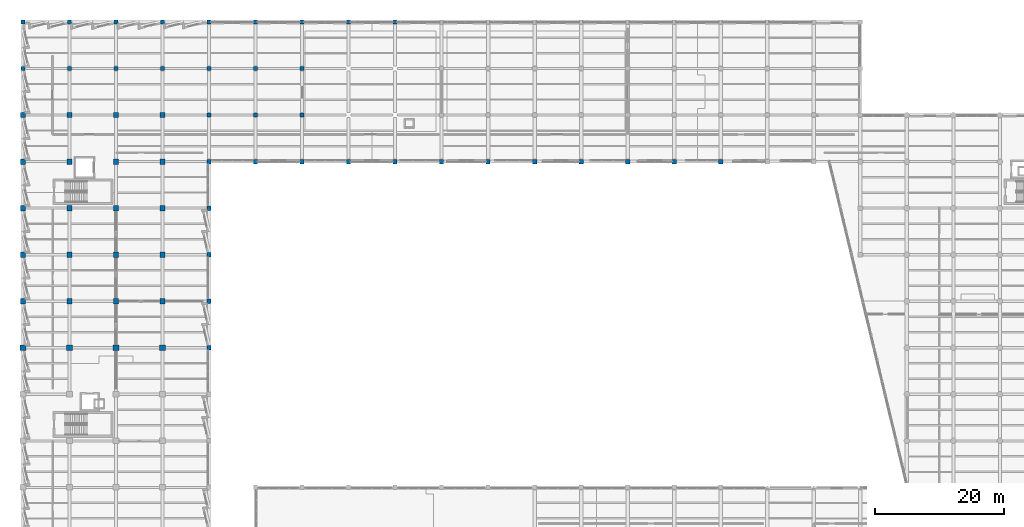
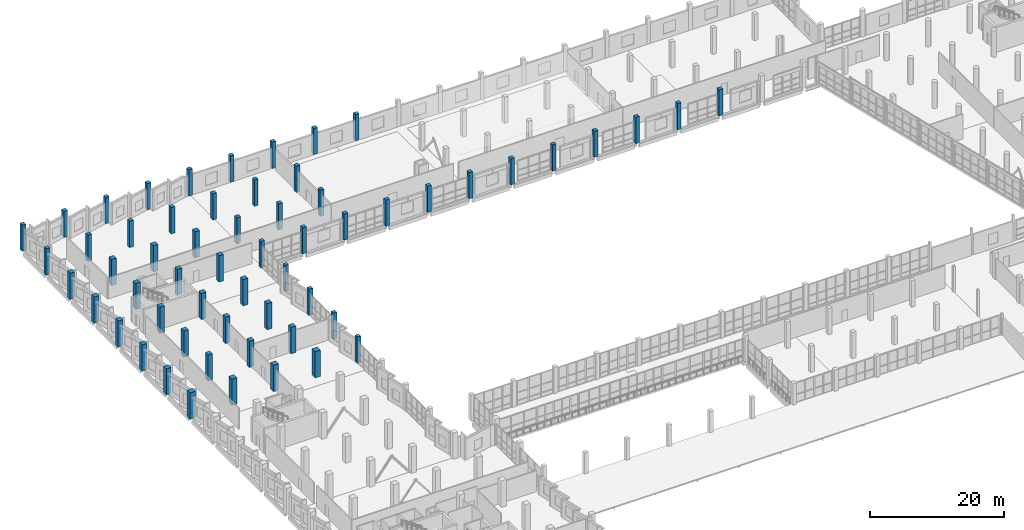
# One storey, part 5 of 127: 59 columns.
"""IFC4 building model written with IfcOpenShell, lengths in metres."""

from ifc_helpers import new_model, si_unit, direction, frame, origin, origin_2d, place, context, subcontext, project, spatial, rectangle, extrude, material, material_profile, profile_set, type_object, element, save


model = new_model("IFC4")

# Units and contexts
model_context = context("Model", 3, precision=1e-05, world=origin(), true_north=direction((0.0, 1.0)))
body_context = subcontext(model_context, "Body", "Model", "MODEL_VIEW")
ifc_project = project(units=[si_unit("LENGTHUNIT", "METRE"), si_unit("AREAUNIT", "SQUARE_METRE"), si_unit("VOLUMEUNIT", "CUBIC_METRE"), si_unit("PLANEANGLEUNIT", "RADIAN"), si_unit("MASSUNIT", "GRAM", prefix="KILO")], contexts=[model_context])

# Site, building, storey
site_placement = place(None, origin())
site = spatial("IfcSite", under=ifc_project, at=site_placement, CompositionType="ELEMENT")
building_placement = place(site_placement, origin())
building = spatial("IfcBuilding", under=site, at=building_placement, Name="Kalmorath City Hall", CompositionType="ELEMENT")
storey_placement = place(building_placement, frame((0.0, 0.0, 5.39990234375)))
storey = spatial("IfcBuildingStorey", under=building, at=storey_placement, Name="L01", CompositionType="ELEMENT", Elevation=5.39990234375)

# Columns
ifc_material_1 = material(Name="Concrete C50/60", Category="concrete")
ifc_material_profile_1 = material_profile(ifc_material_1, rectangle(XDim=0.64990234375, YDim=0.64990234375, at=origin_2d()), Name="RC-COL-650X650")
ifc_profile_set_1 = profile_set([ifc_material_profile_1], Name="Concrete C50/60")
column_type_1 = type_object("IfcColumnType", Name="Concrete column 650x650", PredefinedType="COLUMN", material=ifc_profile_set_1)
for number, where, z_axis, x_axis, name in (
    (1, (0.0, 108.0, 0.0), (0.0, 0.0, 1.0), (1.0, 0.0, 0.0), "L01 column C5 (1/16)"),
    (2, (0.0, 115.199951171875, 0.0), (0.0, 0.0, 1.0), (1.0, 0.0, 0.0), "L01 column C5 (1/17)"),
    (3, (7.199951171875, 108.0, 0.0), (0.0, 0.0, 1.0), (1.0, 0.0, 0.0), "L01 column C5 (2/16)"),
    (4, (7.199951171875, 115.199951171875, 0.0), (0.0, 0.0, 1.0), (1.0, 0.0, 0.0), "L01 column C5 (2/17)"),
    (5, (14.39990234375, 108.0, 0.0), (0.0, 0.0, 1.0), (1.0, 0.0, 0.0), "L01 column C5 (3/16)"),
    (6, (14.39990234375, 115.199951171875, 0.0), (0.0, 0.0, 1.0), (1.0, 0.0, 0.0), "L01 column C5 (3/17)"),
    (7, (21.60009765625, 108.0, 0.0), (0.0, 0.0, 1.0), (1.0, 0.0, 0.0), "L01 column C5 (4/16)"),
    (8, (21.60009765625, 115.199951171875, 0.0), (0.0, 0.0, 1.0), (1.0, 0.0, 0.0), "L01 column C5 (4/17)"),
    (9, (28.800048828125, 64.800048828125, 0.0), (0.0, 0.0, 1.0), (1.0, 0.0, 0.0), "L01 column C5 (5/10)"),
    (10, (28.800048828125, 72.0, 0.0), (0.0, 0.0, 1.0), (1.0, 0.0, 0.0), "L01 column C5 (5/11)"),
    (11, (28.800048828125, 79.199951171875, 0.0), (0.0, 0.0, 1.0), (1.0, 0.0, 0.0), "L01 column C5 (5/12)"),
    (12, (28.800048828125, 86.39990234375, 0.0), (0.0, 0.0, 1.0), (1.0, 0.0, 0.0), "L01 column C5 (5/13)"),
    (13, (28.800048828125, 93.60009765625, 0.0), (0.0, 0.0, 1.0), (1.0, 0.0, 0.0), "L01 column C5 (5/14)"),
    (14, (28.800048828125, 100.800048828125, 0.0), (0.0, 0.0, 1.0), (1.0, 0.0, 0.0), "L01 column C5 (5/15)"),
    (15, (28.800048828125, 108.0, 0.0), (0.0, 0.0, 1.0), (1.0, 0.0, 0.0), "L01 column C5 (5/16)"),
    (16, (28.800048828125, 115.199951171875, 0.0), (0.0, 0.0, 1.0), (1.0, 0.0, 0.0), "L01 column C5 (5/17)"),
    (17, (36.0, 93.60009765625, 0.0), (0.0, 0.0, 1.0), (1.0, 0.0, 0.0), "L01 column C5 (6/14)"),
    (18, (36.0, 100.800048828125, 0.0), (0.0, 0.0, 1.0), (1.0, 0.0, 0.0), "L01 column C5 (6/15)"),
    (19, (36.0, 108.0, 0.0), (0.0, 0.0, 1.0), (1.0, 0.0, 0.0), "L01 column C5 (6/16)"),
    (20, (36.0, 115.199951171875, 0.0), (0.0, 0.0, 1.0), (1.0, 0.0, 0.0), "L01 column C5 (6/17)"),
    (21, (43.199951171875, 93.60009765625, 0.0), (0.0, 0.0, 1.0), (1.0, 0.0, 0.0), "L01 column C5 (7/14)"),
    (22, (43.199951171875, 100.800048828125, 0.0), (0.0, 0.0, 1.0), (1.0, 0.0, 0.0), "L01 column C5 (7/15)"),
    (23, (43.199951171875, 108.0, 0.0), (0.0, 0.0, 1.0), (1.0, 0.0, 0.0), "L01 column C5 (7/16)"),
    (24, (43.199951171875, 115.199951171875, 0.0), (0.0, 0.0, 1.0), (1.0, 0.0, 0.0), "L01 column C5 (7/17)"),
    (25, (50.39990234375, 93.60009765625, 0.0), (0.0, 0.0, 1.0), (1.0, 0.0, 0.0), "L01 column C5 (8/14)"),
    (26, (50.39990234375, 115.199951171875, 0.0), (0.0, 0.0, 1.0), (1.0, 0.0, 0.0), "L01 column C5 (8/17)"),
    (27, (57.60009765625, 93.60009765625, 0.0), (0.0, 0.0, 1.0), (1.0, 0.0, 0.0), "L01 column C5 (9/14)"),
    (28, (57.60009765625, 115.199951171875, 0.0), (0.0, 0.0, 1.0), (1.0, 0.0, 0.0), "L01 column C5 (9/17)"),
    (29, (64.800048828125, 93.60009765625, 0.0), (0.0, 0.0, 1.0), (1.0, 0.0, 0.0), "L01 column C5 (10/14)"),
    (30, (72.0, 93.60009765625, 0.0), (0.0, 0.0, 1.0), (1.0, 0.0, 0.0), "L01 column C5 (11/14)"),
    (31, (79.199951171875, 93.60009765625, 0.0), (0.0, 0.0, 1.0), (1.0, 0.0, 0.0), "L01 column C5 (12/14)"),
    (32, (86.39990234375, 93.60009765625, 0.0), (0.0, 0.0, 1.0), (1.0, 0.0, 0.0), "L01 column C5 (13/14)"),
    (33, (93.60009765625, 93.60009765625, 0.0), (0.0, 0.0, 1.0), (1.0, 0.0, 0.0), "L01 column C5 (14/14)"),
    (34, (100.800048828125, 93.60009765625, 0.0), (0.0, 0.0, 1.0), (1.0, 0.0, 0.0), "L01 column C5 (15/14)"),
    (35, (108.0, 93.60009765625, 0.0), (0.0, 0.0, 1.0), (1.0, 0.0, 0.0), "L01 column C5 (16/14)"),
):
    element("IfcColumn", number, at=place(storey_placement, frame(where, z_axis=z_axis, x_axis=x_axis)), inside=storey, type_object=column_type_1, Name=name, PredefinedType="COLUMN", context=body_context, shape_type="SweptSolid", body=[
        extrude(rectangle(XDim=0.64990234375, YDim=0.64990234375, at=origin_2d()), origin(), (0.0, 0.0, 1.0), 4.800048828125),
    ])
ifc_material_2 = material(Name="Concrete C50/60", Category="concrete")
ifc_material_profile_2 = material_profile(ifc_material_2, rectangle(XDim=0.800048828125, YDim=0.800048828125, at=origin_2d()), Name="RC-COL-800X800")
ifc_profile_set_2 = profile_set([ifc_material_profile_2], Name="Concrete C50/60")
column_type_2 = type_object("IfcColumnType", Name="Concrete column 800x800", PredefinedType="COLUMN", material=ifc_profile_set_2)
for number, where, z_axis, x_axis, name in (
    (36, (0.0, 72.0, 0.0), (0.0, 0.0, 1.0), (1.0, 0.0, 0.0), "L01 column C2 (1/11)"),
    (37, (0.0, 79.199951171875, 0.0), (0.0, 0.0, 1.0), (1.0, 0.0, 0.0), "L01 column C2 (1/12)"),
    (38, (0.0, 86.39990234375, 0.0), (0.0, 0.0, 1.0), (1.0, 0.0, 0.0), "L01 column C2 (1/13)"),
    (39, (0.0, 93.60009765625, 0.0), (0.0, 0.0, 1.0), (1.0, 0.0, 0.0), "L01 column C2 (1/14)"),
    (40, (0.0, 100.800048828125, 0.0), (0.0, 0.0, 1.0), (1.0, 0.0, 0.0), "L01 column C2 (1/15)"),
    (41, (7.199951171875, 72.0, 0.0), (0.0, 0.0, 1.0), (1.0, 0.0, 0.0), "L01 column C2 (2/11)"),
    (42, (7.199951171875, 79.199951171875, 0.0), (0.0, 0.0, 1.0), (1.0, 0.0, 0.0), "L01 column C2 (2/12)"),
    (43, (7.199951171875, 86.39990234375, 0.0), (0.0, 0.0, 1.0), (1.0, 0.0, 0.0), "L01 column C2 (2/13)"),
    (44, (7.199951171875, 93.60009765625, 0.0), (0.0, 0.0, 1.0), (1.0, 0.0, 0.0), "L01 column C2 (2/14)"),
    (45, (7.199951171875, 100.800048828125, 0.0), (0.0, 0.0, 1.0), (1.0, 0.0, 0.0), "L01 column C2 (2/15)"),
    (46, (14.39990234375, 72.0, 0.0), (0.0, 0.0, 1.0), (1.0, 0.0, 0.0), "L01 column C2 (3/11)"),
    (47, (14.39990234375, 79.199951171875, 0.0), (0.0, 0.0, 1.0), (1.0, 0.0, 0.0), "L01 column C2 (3/12)"),
    (48, (14.39990234375, 86.39990234375, 0.0), (0.0, 0.0, 1.0), (1.0, 0.0, 0.0), "L01 column C2 (3/13)"),
    (49, (14.39990234375, 93.60009765625, 0.0), (0.0, 0.0, 1.0), (1.0, 0.0, 0.0), "L01 column C2 (3/14)"),
    (50, (14.39990234375, 100.800048828125, 0.0), (0.0, 0.0, 1.0), (1.0, 0.0, 0.0), "L01 column C2 (3/15)"),
    (51, (21.60009765625, 72.0, 0.0), (0.0, 0.0, 1.0), (1.0, 0.0, 0.0), "L01 column C2 (4/11)"),
    (52, (21.60009765625, 79.199951171875, 0.0), (0.0, 0.0, 1.0), (1.0, 0.0, 0.0), "L01 column C2 (4/12)"),
    (53, (21.60009765625, 86.39990234375, 0.0), (0.0, 0.0, 1.0), (1.0, 0.0, 0.0), "L01 column C2 (4/13)"),
    (54, (21.60009765625, 93.60009765625, 0.0), (0.0, 0.0, 1.0), (1.0, 0.0, 0.0), "L01 column C2 (4/14)"),
    (55, (21.60009765625, 100.800048828125, 0.0), (0.0, 0.0, 1.0), (1.0, 0.0, 0.0), "L01 column C2 (4/15)"),
):
    element("IfcColumn", number, at=place(storey_placement, frame(where, z_axis=z_axis, x_axis=x_axis)), inside=storey, type_object=column_type_2, Name=name, PredefinedType="COLUMN", context=body_context, shape_type="SweptSolid", body=[
        extrude(rectangle(XDim=0.800048828125, YDim=0.800048828125, at=origin_2d()), origin(), (0.0, 0.0, 1.0), 4.800048828125),
    ])
ifc_material_3 = material(Name="Concrete C50/60", Category="concrete")
ifc_material_profile_3 = material_profile(ifc_material_3, rectangle(XDim=0.89990234375, YDim=0.89990234375, at=origin_2d()), Name="RC-COL-900X900")
ifc_profile_set_3 = profile_set([ifc_material_profile_3], Name="Concrete C50/60")
column_type_3 = type_object("IfcColumnType", Name="Concrete column 900x900", PredefinedType="COLUMN", material=ifc_profile_set_3)
for number, where, z_axis, x_axis, name in (
    (56, (0.0, 64.800048828125, 0.0), (0.0, 0.0, 1.0), (1.0, 0.0, 0.0), "L01 column C1 (1/10)"),
    (57, (7.199951171875, 64.800048828125, 0.0), (0.0, 0.0, 1.0), (1.0, 0.0, 0.0), "L01 column C1 (2/10)"),
    (58, (14.39990234375, 64.800048828125, 0.0), (0.0, 0.0, 1.0), (1.0, 0.0, 0.0), "L01 column C1 (3/10)"),
    (59, (21.60009765625, 64.800048828125, 0.0), (0.0, 0.0, 1.0), (1.0, 0.0, 0.0), "L01 column C1 (4/10)"),
):
    element("IfcColumn", number, at=place(storey_placement, frame(where, z_axis=z_axis, x_axis=x_axis)), inside=storey, type_object=column_type_3, Name=name, PredefinedType="COLUMN", context=body_context, shape_type="SweptSolid", body=[
        extrude(rectangle(XDim=0.89990234375, YDim=0.89990234375, at=origin_2d()), origin(), (0.0, 0.0, 1.0), 4.800048828125),
    ])

save(model, "model.ifc")
